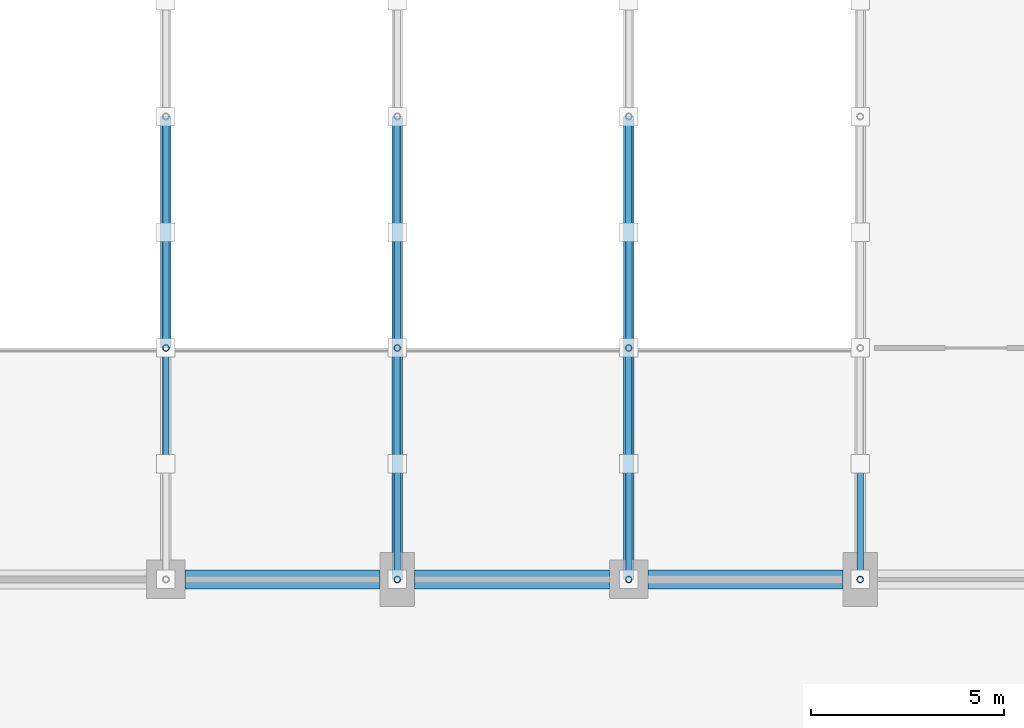
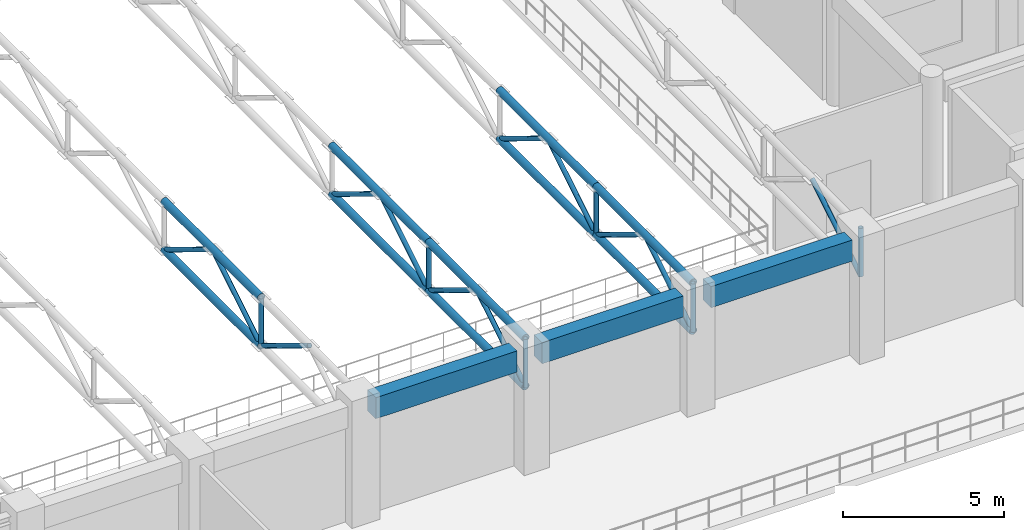
# One storey, part 37 of 123: 28 members, 3 beams.
"""IFC4 building model written with IfcOpenShell, lengths in metres."""

from ifc_helpers import new_model, si_unit, direction, frame, origin, origin_2d, place, context, subcontext, project, spatial, rectangle, hollow_circle, extrude, material, material_profile, profile_set, type_object, element, save


model = new_model("IFC4")

# Units and contexts
model_context = context("Model", 3, precision=1e-05, world=origin(), true_north=direction((0.0, 1.0)))
body_context = subcontext(model_context, "Body", "Model", "MODEL_VIEW")
ifc_project = project(units=[si_unit("LENGTHUNIT", "METRE"), si_unit("AREAUNIT", "SQUARE_METRE"), si_unit("VOLUMEUNIT", "CUBIC_METRE"), si_unit("PLANEANGLEUNIT", "RADIAN"), si_unit("MASSUNIT", "GRAM", prefix="KILO"), si_unit("THERMODYNAMICTEMPERATUREUNIT", "KELVIN"), si_unit("POWERUNIT", "WATT")], contexts=[model_context])

# Site, building, storey
site_placement = place(None, origin())
site = spatial("IfcSite", under=ifc_project, at=site_placement, CompositionType="ELEMENT")
building_placement = place(site_placement, origin())
building = spatial("IfcBuilding", under=site, at=building_placement, Name="Phaisarnlok Congress Hotel", CompositionType="ELEMENT")
storey_placement = place(building_placement, frame((0.0, 0.0, 15.0)))
storey = spatial("IfcBuildingStorey", under=building, at=storey_placement, Name="L03", CompositionType="ELEMENT", Elevation=15.0)

# Beams
ifc_material_1 = material(Name="Concrete C40/50", Category="concrete")
ifc_material_profile_1 = material_profile(ifc_material_1, rectangle(XDim=0.5, YDim=0.800048828125, at=origin_2d()), Name="RC 500x800")
ifc_profile_set_1 = profile_set([ifc_material_profile_1], Name="Concrete C40/50")
beam_type = type_object("IfcBeamType", Name="BM-RC-500x800", PredefinedType="BEAM", material=ifc_profile_set_1)
for number, where, z_axis, x_axis, name in (
    (1, (18.4951171875, 84.0, 4.050048828125), (1.0, 0.0, 0.0), (0.0, 1.0, 0.0), "Beam B-04"),
    (2, (24.445068359375, 84.0, 4.050048828125), (1.0, 0.0, 0.0), (0.0, 1.0, 0.0), "Beam B-04"),
    (3, (30.4951171875, 84.0, 4.050048828125), (1.0, 0.0, 0.0), (0.0, 1.0, 0.0), "Beam B-04"),
):
    element("IfcBeam", number, at=place(storey_placement, frame(where, z_axis=z_axis, x_axis=x_axis)), inside=storey, type_object=beam_type, Name=name, PredefinedType="BEAM", context=body_context, shape_type="SweptSolid", body=[
        extrude(rectangle(XDim=0.5, YDim=0.800048828125, at=origin_2d()), origin(), (0.0, 0.0, 1.0), 5.059814453125),
    ])

# Members
ifc_material_2 = material(Name="Steel S355", Category="steel")
ifc_material_profile_2 = material_profile(ifc_material_2, hollow_circle(Radius=0.084228515625, WallThickness=0.010009765625, at=origin_2d()), Name="CHS 168.3x10")
ifc_profile_set_2 = profile_set([ifc_material_profile_2], Name="Steel S355")
member_type_1 = type_object("IfcMemberType", Name="MEM-BRC-CHS168", PredefinedType="BRACE", material=ifc_profile_set_2)
member_1_placement = place(storey_placement, frame((18.0, 90.0, 2.800048828125), z_axis=(0.0, -0.853724612577, 0.520724769797), x_axis=(1.0, 0.0, 0.0)))
element("IfcMember", 4, at=member_1_placement, inside=storey, type_object=member_type_1, Name="Spa pavilion truss diagonal TB-01", PredefinedType="BRACE", context=body_context, shape_type="SweptSolid", body=[
    extrude(hollow_circle(Radius=0.084228515625, WallThickness=0.010009765625, at=origin_2d()), origin(), (0.0, 0.0, 1.0), 3.513916015625),
])
member_2_placement = place(storey_placement, frame((18.0, 90.0, 2.800048828125), z_axis=(0.0, 0.0, 1.0), x_axis=(1.0, 0.0, 0.0)))
element("IfcMember", 5, at=member_2_placement, inside=storey, type_object=member_type_1, Name="Spa pavilion truss vertical TB-01", PredefinedType="BRACE", context=body_context, shape_type="SweptSolid", body=[
    extrude(hollow_circle(Radius=0.084228515625, WallThickness=0.010009765625, at=origin_2d()), origin(), (0.0, 0.0, 1.0), 1.829833984375),
])
for number, where, z_axis, x_axis, name in (
    (6, (18.0, 90.0, 2.800048828125), (0.0, 0.853724612577, 0.520724769797), (-1.0, 0.0, 0.0), "Spa pavilion truss diagonal TB-01"),
    (7, (18.0, 96.0, 2.800048828125), (0.0, -0.853724612577, 0.520724769797), (1.0, 0.0, 0.0), "Spa pavilion truss diagonal TB-01"),
):
    element("IfcMember", number, at=place(storey_placement, frame(where, z_axis=z_axis, x_axis=x_axis)), inside=storey, type_object=member_type_1, Name=name, PredefinedType="BRACE", context=body_context, shape_type="SweptSolid", body=[
        extrude(hollow_circle(Radius=0.084228515625, WallThickness=0.010009765625, at=origin_2d()), origin(), (0.0, 0.0, 1.0), 3.513916015625),
    ])
member_3_placement = place(storey_placement, frame((24.0, 84.0, 2.800048828125), z_axis=(0.0, 0.0, 1.0), x_axis=(1.0, 0.0, 0.0)))
element("IfcMember", 8, at=member_3_placement, inside=storey, type_object=member_type_1, Name="Spa pavilion truss vertical TB-01", PredefinedType="BRACE", context=body_context, shape_type="SweptSolid", body=[
    extrude(hollow_circle(Radius=0.084228515625, WallThickness=0.010009765625, at=origin_2d()), origin(), (0.0, 0.0, 1.0), 1.829833984375),
])
for number, where, z_axis, x_axis, name in (
    (9, (24.0, 84.0, 2.800048828125), (0.0, 0.853724612577, 0.520724769797), (-1.0, 0.0, 0.0), "Spa pavilion truss diagonal TB-01"),
    (10, (24.0, 90.0, 2.800048828125), (0.0, -0.853724612577, 0.520724769797), (1.0, 0.0, 0.0), "Spa pavilion truss diagonal TB-01"),
):
    element("IfcMember", number, at=place(storey_placement, frame(where, z_axis=z_axis, x_axis=x_axis)), inside=storey, type_object=member_type_1, Name=name, PredefinedType="BRACE", context=body_context, shape_type="SweptSolid", body=[
        extrude(hollow_circle(Radius=0.084228515625, WallThickness=0.010009765625, at=origin_2d()), origin(), (0.0, 0.0, 1.0), 3.513916015625),
    ])
member_4_placement = place(storey_placement, frame((24.0, 90.0, 2.800048828125), z_axis=(0.0, 0.0, 1.0), x_axis=(1.0, 0.0, 0.0)))
element("IfcMember", 11, at=member_4_placement, inside=storey, type_object=member_type_1, Name="Spa pavilion truss vertical TB-01", PredefinedType="BRACE", context=body_context, shape_type="SweptSolid", body=[
    extrude(hollow_circle(Radius=0.084228515625, WallThickness=0.010009765625, at=origin_2d()), origin(), (0.0, 0.0, 1.0), 1.829833984375),
])
for number, where, z_axis, x_axis, name in (
    (12, (24.0, 90.0, 2.800048828125), (0.0, 0.853724612577, 0.520724769797), (-1.0, 0.0, 0.0), "Spa pavilion truss diagonal TB-01"),
    (13, (24.0, 96.0, 2.800048828125), (0.0, -0.853724612577, 0.520724769797), (1.0, 0.0, 0.0), "Spa pavilion truss diagonal TB-01"),
):
    element("IfcMember", number, at=place(storey_placement, frame(where, z_axis=z_axis, x_axis=x_axis)), inside=storey, type_object=member_type_1, Name=name, PredefinedType="BRACE", context=body_context, shape_type="SweptSolid", body=[
        extrude(hollow_circle(Radius=0.084228515625, WallThickness=0.010009765625, at=origin_2d()), origin(), (0.0, 0.0, 1.0), 3.513916015625),
    ])
member_5_placement = place(storey_placement, frame((30.0, 84.0, 2.800048828125), z_axis=(0.0, 0.0, 1.0), x_axis=(1.0, 0.0, 0.0)))
element("IfcMember", 14, at=member_5_placement, inside=storey, type_object=member_type_1, Name="Spa pavilion truss vertical TB-01", PredefinedType="BRACE", context=body_context, shape_type="SweptSolid", body=[
    extrude(hollow_circle(Radius=0.084228515625, WallThickness=0.010009765625, at=origin_2d()), origin(), (0.0, 0.0, 1.0), 1.829833984375),
])
for number, where, z_axis, x_axis, name in (
    (15, (30.0, 84.0, 2.800048828125), (0.0, 0.853724612577, 0.520724769797), (-1.0, 0.0, 0.0), "Spa pavilion truss diagonal TB-01"),
    (16, (30.0, 90.0, 2.800048828125), (0.0, -0.853724612577, 0.520724769797), (1.0, 0.0, 0.0), "Spa pavilion truss diagonal TB-01"),
):
    element("IfcMember", number, at=place(storey_placement, frame(where, z_axis=z_axis, x_axis=x_axis)), inside=storey, type_object=member_type_1, Name=name, PredefinedType="BRACE", context=body_context, shape_type="SweptSolid", body=[
        extrude(hollow_circle(Radius=0.084228515625, WallThickness=0.010009765625, at=origin_2d()), origin(), (0.0, 0.0, 1.0), 3.513916015625),
    ])
member_6_placement = place(storey_placement, frame((30.0, 90.0, 2.800048828125), z_axis=(0.0, 0.0, 1.0), x_axis=(1.0, 0.0, 0.0)))
element("IfcMember", 17, at=member_6_placement, inside=storey, type_object=member_type_1, Name="Spa pavilion truss vertical TB-01", PredefinedType="BRACE", context=body_context, shape_type="SweptSolid", body=[
    extrude(hollow_circle(Radius=0.084228515625, WallThickness=0.010009765625, at=origin_2d()), origin(), (0.0, 0.0, 1.0), 1.829833984375),
])
for number, where, z_axis, x_axis, name in (
    (18, (30.0, 90.0, 2.800048828125), (0.0, 0.853724612577, 0.520724769797), (-1.0, 0.0, 0.0), "Spa pavilion truss diagonal TB-01"),
    (19, (30.0, 96.0, 2.800048828125), (0.0, -0.853724612577, 0.520724769797), (1.0, 0.0, 0.0), "Spa pavilion truss diagonal TB-01"),
):
    element("IfcMember", number, at=place(storey_placement, frame(where, z_axis=z_axis, x_axis=x_axis)), inside=storey, type_object=member_type_1, Name=name, PredefinedType="BRACE", context=body_context, shape_type="SweptSolid", body=[
        extrude(hollow_circle(Radius=0.084228515625, WallThickness=0.010009765625, at=origin_2d()), origin(), (0.0, 0.0, 1.0), 3.513916015625),
    ])
member_7_placement = place(storey_placement, frame((36.0, 84.0, 2.800048828125), z_axis=(0.0, 0.0, 1.0), x_axis=(1.0, 0.0, 0.0)))
element("IfcMember", 20, at=member_7_placement, inside=storey, type_object=member_type_1, Name="Spa pavilion truss vertical TB-01", PredefinedType="BRACE", context=body_context, shape_type="SweptSolid", body=[
    extrude(hollow_circle(Radius=0.084228515625, WallThickness=0.010009765625, at=origin_2d()), origin(), (0.0, 0.0, 1.0), 1.829833984375),
])
member_8_placement = place(storey_placement, frame((36.0, 84.0, 2.800048828125), z_axis=(0.0, 0.853724612577, 0.520724769797), x_axis=(-1.0, 0.0, 0.0)))
element("IfcMember", 21, at=member_8_placement, inside=storey, type_object=member_type_1, Name="Spa pavilion truss diagonal TB-01", PredefinedType="BRACE", context=body_context, shape_type="SweptSolid", body=[
    extrude(hollow_circle(Radius=0.084228515625, WallThickness=0.010009765625, at=origin_2d()), origin(), (0.0, 0.0, 1.0), 3.513916015625),
])
ifc_material_profile_3 = material_profile(ifc_material_2, hollow_circle(Radius=0.136474609375, WallThickness=0.01611328125, at=origin_2d()), Name="CHS 273x16")
ifc_profile_set_3 = profile_set([ifc_material_profile_3], Name="Steel S355")
member_type_2 = type_object("IfcMemberType", Name="MEM-CHD-CHS273", PredefinedType="CHORD", material=ifc_profile_set_3)
for number, where, z_axis, x_axis, name in (
    (22, (18.0, 90.0, 4.6298828125), (0.0, 1.0, 0.0), (-1.0, 0.0, 0.0), "Spa pavilion truss top chord TC-03"),
    (23, (18.0, 90.0, 2.800048828125), (0.0, 1.0, 0.0), (-1.0, 0.0, 0.0), "Spa pavilion truss bottom chord TC-03"),
    (24, (24.0, 84.0, 4.6298828125), (0.0, 1.0, 0.0), (-1.0, 0.0, 0.0), "Spa pavilion truss top chord TC-03"),
    (25, (24.0, 84.0, 2.800048828125), (0.0, 1.0, 0.0), (-1.0, 0.0, 0.0), "Spa pavilion truss bottom chord TC-03"),
    (26, (24.0, 90.0, 4.6298828125), (0.0, 1.0, 0.0), (-1.0, 0.0, 0.0), "Spa pavilion truss top chord TC-03"),
    (27, (24.0, 90.0, 2.800048828125), (0.0, 1.0, 0.0), (-1.0, 0.0, 0.0), "Spa pavilion truss bottom chord TC-03"),
    (28, (30.0, 84.0, 4.6298828125), (0.0, 1.0, 0.0), (-1.0, 0.0, 0.0), "Spa pavilion truss top chord TC-03"),
    (29, (30.0, 84.0, 2.800048828125), (0.0, 1.0, 0.0), (-1.0, 0.0, 0.0), "Spa pavilion truss bottom chord TC-03"),
    (30, (30.0, 90.0, 4.6298828125), (0.0, 1.0, 0.0), (-1.0, 0.0, 0.0), "Spa pavilion truss top chord TC-03"),
    (31, (30.0, 90.0, 2.800048828125), (0.0, 1.0, 0.0), (-1.0, 0.0, 0.0), "Spa pavilion truss bottom chord TC-03"),
):
    element("IfcMember", number, at=place(storey_placement, frame(where, z_axis=z_axis, x_axis=x_axis)), inside=storey, type_object=member_type_2, Name=name, PredefinedType="CHORD", context=body_context, shape_type="SweptSolid", body=[
        extrude(hollow_circle(Radius=0.136474609375, WallThickness=0.01611328125, at=origin_2d()), origin(), (0.0, 0.0, 1.0), 6.0),
    ])

save(model, "model.ifc")
